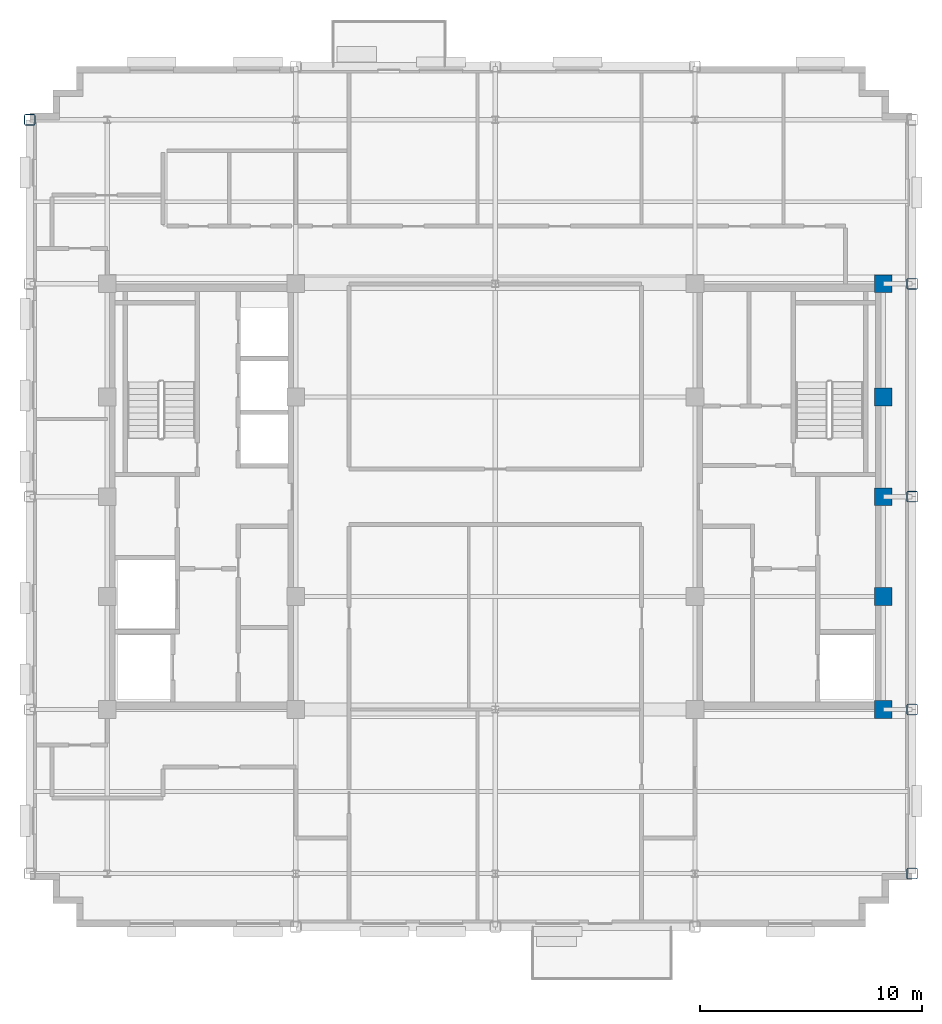
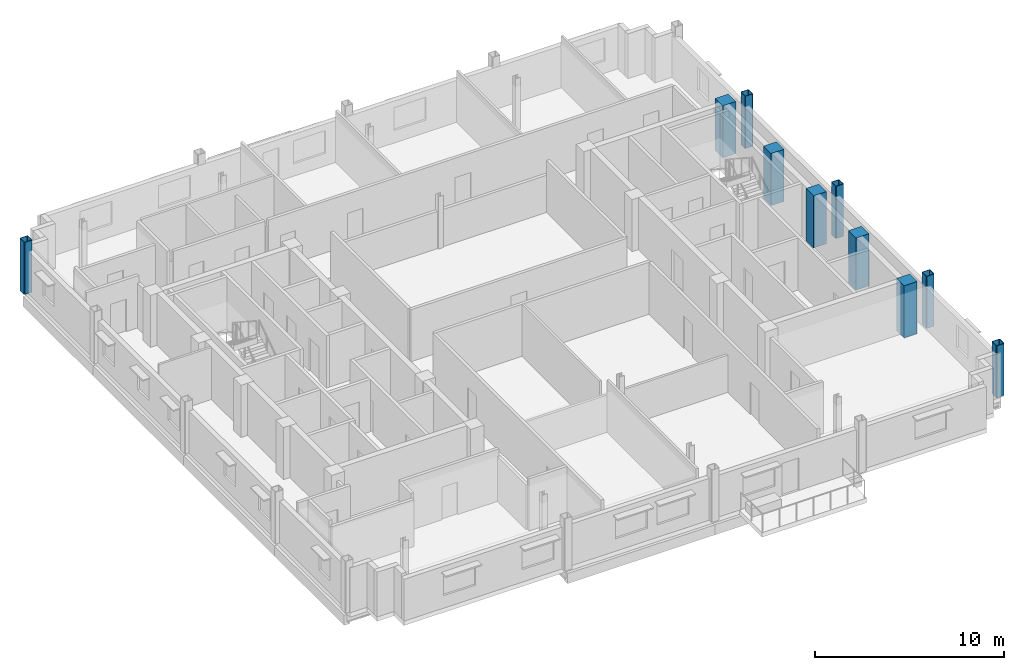
# One storey, part 2 of 13: 10 columns.
"""IFC4 building model written with IfcOpenShell, lengths in metres."""

from ifc_helpers import new_model, si_unit, direction, frame, origin, origin_2d, place, context, subcontext, project, spatial, rectangle, hollow_rectangle, extrude, material, material_profile, profile_set, type_object, element, save


model = new_model("IFC4")

# Units and contexts
model_context = context("Model", 3, precision=1e-05, world=origin(), true_north=direction((0.0, 1.0)))
body_context = subcontext(model_context, "Body", "Model", "MODEL_VIEW")
ifc_project = project(units=[si_unit("LENGTHUNIT", "METRE"), si_unit("AREAUNIT", "SQUARE_METRE"), si_unit("VOLUMEUNIT", "CUBIC_METRE"), si_unit("PLANEANGLEUNIT", "RADIAN"), si_unit("MASSUNIT", "GRAM", prefix="KILO")], contexts=[model_context])

# Site, building, storey
site_placement = place(None, origin())
site = spatial("IfcSite", under=ifc_project, at=site_placement, CompositionType="ELEMENT")
building_placement = place(site_placement, origin())
building = spatial("IfcBuilding", under=site, at=building_placement, Name="Nuvemarco Arch Tower", CompositionType="ELEMENT")
storey_placement = place(building_placement, frame((0.0, 0.0, 265.25)))
storey = spatial("IfcBuildingStorey", under=building, at=storey_placement, Name="L70", CompositionType="ELEMENT", Elevation=265.25)

# Columns
ifc_material_1 = material(Name="Concrete C50/60", Category="concrete")
ifc_material_profile_1 = material_profile(ifc_material_1, rectangle(XDim=0.800048828125, YDim=0.800048828125, at=origin_2d()), Name="RC-COL-800x800")
ifc_profile_set_1 = profile_set([ifc_material_profile_1], Name="Concrete C50/60")
column_type_1 = type_object("IfcColumnType", Name="COL-CORE-800", PredefinedType="COLUMN", material=ifc_profile_set_1)
for number, where, z_axis, x_axis, name in (
    (1, (17.5, -9.60009765625, 0.0), (0.0, 0.0, 1.0), (1.0, 0.0, 0.0), "L70 column CC_+17.5_-9.6"),
    (2, (17.5, -4.5, 0.0), (0.0, 0.0, 1.0), (1.0, 0.0, 0.0), "L70 column CC_+17.5_-4.5"),
    (3, (17.5, 4.5, 0.0), (0.0, 0.0, 1.0), (1.0, 0.0, 0.0), "L70 column CC_+17.5_+4.5"),
    (4, (17.5, 9.60009765625, 0.0), (0.0, 0.0, 1.0), (1.0, 0.0, 0.0), "L70 column CC_+17.5_+9.6"),
    (5, (17.5, 0.0, 0.0), (0.0, 0.0, 1.0), (1.0, 0.0, 0.0), "L70 column CC_+17.5_+0.0"),
):
    element("IfcColumn", number, at=place(storey_placement, frame(where, z_axis=z_axis, x_axis=x_axis)), inside=storey, type_object=column_type_1, Name=name, PredefinedType="COLUMN", context=body_context, shape_type="SweptSolid", body=[
        extrude(rectangle(XDim=0.800048828125, YDim=0.800048828125, at=origin_2d()), origin(), (0.0, 0.0, 1.0), 3.3701171875),
    ])
ifc_material_2 = material(Name="Steel S355", Category="steel")
ifc_material_profile_2 = material_profile(ifc_material_2, hollow_rectangle(XDim=0.5, YDim=0.5, WallThickness=0.031982421875, InnerFilletRadius=0.031982421875, OuterFilletRadius=0.06396484375, at=origin_2d()), Name="SHS500x500x32")
ifc_profile_set_2 = profile_set([ifc_material_profile_2], Name="Steel S355")
column_type_2 = type_object("IfcColumnType", Name="COL-EXO-500", PredefinedType="COLUMN", material=ifc_profile_set_2)
for number, where, z_axis, x_axis, name in (
    (6, (-21.0, 17.0, 0.0), (0.0, 0.0, 1.0), (1.0, 0.0, 0.0), "L70 column CX_-21.0_+17.0"),
    (7, (18.800048828125, -17.0, 0.0), (0.0, 0.0, 1.0), (1.0, 0.0, 0.0), "L70 column CX_+18.8_-17.0"),
    (8, (18.800048828125, -9.60009765625, 0.0), (0.0, 0.0, 1.0), (1.0, 0.0, 0.0), "L70 column CX_+18.8_-9.6"),
    (9, (18.800048828125, 0.0, 0.0), (0.0, 0.0, 1.0), (1.0, 0.0, 0.0), "L70 column CX_+18.8_+0.0"),
    (10, (18.800048828125, 9.60009765625, 0.0), (0.0, 0.0, 1.0), (1.0, 0.0, 0.0), "L70 column CX_+18.8_+9.6"),
):
    element("IfcColumn", number, at=place(storey_placement, frame(where, z_axis=z_axis, x_axis=x_axis)), inside=storey, type_object=column_type_2, Name=name, PredefinedType="COLUMN", context=body_context, shape_type="SweptSolid", body=[
        extrude(hollow_rectangle(XDim=0.5, YDim=0.5, WallThickness=0.031982421875, InnerFilletRadius=0.031982421875, OuterFilletRadius=0.06396484375, at=origin_2d()), origin(), (0.0, 0.0, 1.0), 3.3701171875),
    ])

save(model, "model.ifc")
